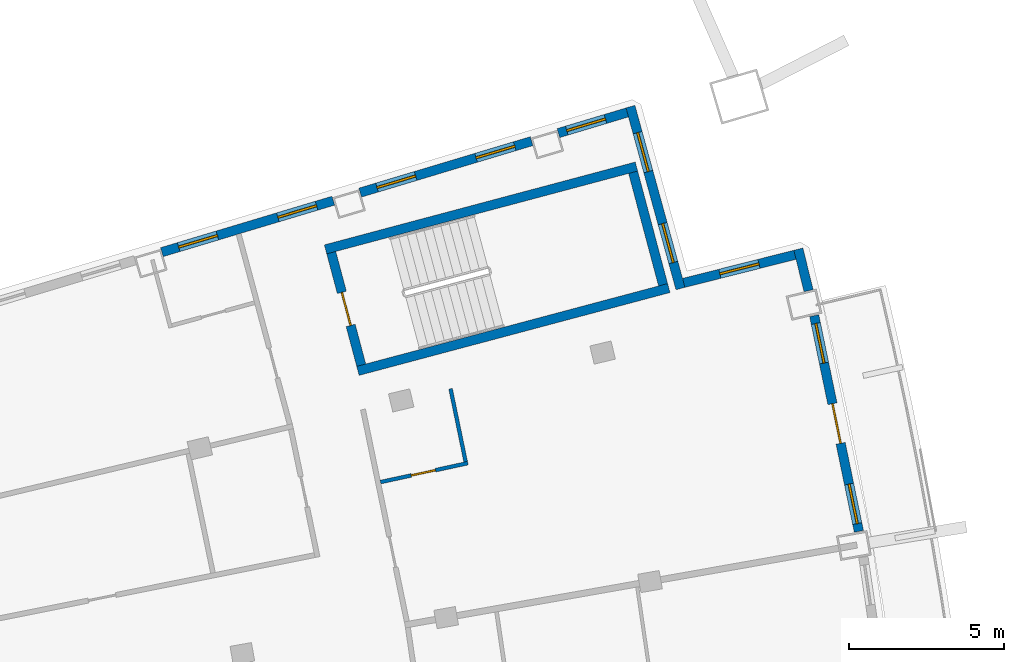
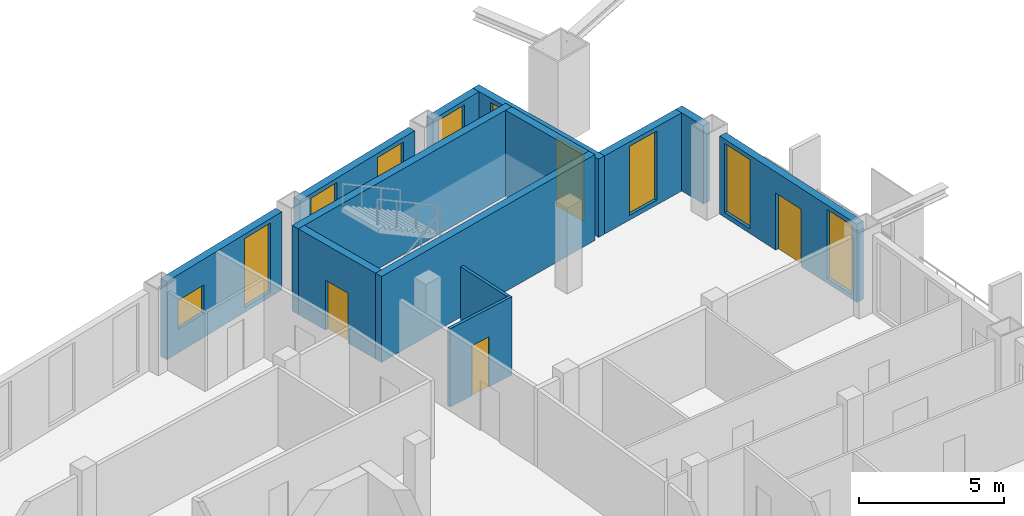
# One storey, part 11 of 15: 13 walls, 10 windows, 3 doors, 13 openings.
"""IFC4 building model written with IfcOpenShell, lengths in metres."""

from ifc_helpers import new_model, si_unit, direction, frame, frame_2d, origin, place, context, subcontext, project, spatial, rectangle, extrude, material, layer, layer_set, type_object, element, fill, save


model = new_model("IFC4")

# Units and contexts
model_context = context("Model", 3, precision=1e-05, world=origin(), true_north=direction((0.0, 1.0)))
body_context = subcontext(model_context, "Body", "Model", "MODEL_VIEW")
ifc_project = project(units=[si_unit("LENGTHUNIT", "METRE"), si_unit("AREAUNIT", "SQUARE_METRE"), si_unit("VOLUMEUNIT", "CUBIC_METRE"), si_unit("PLANEANGLEUNIT", "RADIAN"), si_unit("MASSUNIT", "GRAM", prefix="KILO")], contexts=[model_context])

# Site, building, storey
site_placement = place(None, origin())
site = spatial("IfcSite", under=ifc_project, at=site_placement, CompositionType="ELEMENT")
building_placement = place(site_placement, origin())
building = spatial("IfcBuilding", under=site, at=building_placement, Name="Alderwake Tower", CompositionType="ELEMENT")
storey_placement = place(building_placement, frame((0.0, 0.0, 285.199951171875)))
storey = spatial("IfcBuildingStorey", under=building, at=storey_placement, Name="L71", CompositionType="ELEMENT", Elevation=285.199951171875)

# Walls
ifc_material_1 = material(Name="Concrete C70/85", Category="concrete")
ifc_layer_1 = layer(ifc_material_1, 0.300048828125)
ifc_layer_set_1 = layer_set([ifc_layer_1], Name="Core wall stair enclosure 300 C70-85")
wall_type_1 = type_object("IfcWallType", Name="Core wall stair enclosure 300 C70-85", PredefinedType="SHEAR", material=ifc_layer_set_1)
for number, where, z_axis, x_axis, name in (
    (1, (36.71142578125, 94.182373046875, 0.0), (0.0, 0.0, 1.0), (0.966309214305, 0.257383958996, 0.0), "Core wall CW.082"),
    (2, (37.75390625, 90.268798828125, 0.0), (0.0, 0.0, 1.0), (0.966309214305, 0.257383958996, 0.0), "Core wall CW.084"),
):
    element("IfcWall", number, at=place(storey_placement, frame(where, z_axis=z_axis, x_axis=x_axis)), inside=storey, type_object=wall_type_1, Name=name, PredefinedType="SHEAR", context=body_context, shape_type="SweptSolid", body=[
        extrude(rectangle(XDim=10.360107421875, YDim=0.300048828125, at=frame_2d((5.18017578125, 0.0))), origin(), (0.0, 0.0, 1.0), 3.60009765625),
    ])

# Wall, opening, door
wall_1_placement = place(storey_placement, frame((37.8603515625, 90.452392578125, 0.0), z_axis=(0.0, 0.0, 1.0), x_axis=(-0.257411420208, 0.966301899381, 0.0)))
wall_1 = element("IfcWall", 3, at=wall_1_placement, inside=storey, type_object=wall_type_1, Name="Core wall CW.083", PredefinedType="SHEAR", context=body_context, shape_type="SweptSolid", body=[
    extrude(rectangle(XDim=3.750244140625, YDim=0.300048828125, at=frame_2d((1.875, 0.0))), origin(), (0.0, 0.0, 1.0), 3.60009765625),
])
opening_1_placement = place(wall_1_placement, frame((1.324951171875, 0.0, 0.0)))
opening_1 = element("IfcOpeningElement", 4, at=opening_1_placement, cuts=wall_1, Name="Opening C062", PredefinedType="OPENING", context=body_context, shape_type="SweptSolid", body=[
    extrude(rectangle(XDim=1.10009765625, YDim=2.10009765625, at=frame_2d((0.550048828125, 1.050048828125))), frame((0.0, 0.159912109375, 0.0), z_axis=(0.0, -1.0, 0.0), x_axis=(1.0, 0.0, 0.0)), (0.0, 0.0, 1.0), 0.320068359375),
])
ifc_material_2 = material(Name="Steel-framed fire door leaf", Category="steel")
door_type_1 = type_object("IfcDoorType", Name="Core stair door 1100 fire-rated", OperationType="SINGLE_SWING_LEFT", PredefinedType="DOOR", material=ifc_material_2)
door_1_placement = place(opening_1_placement, origin())
door_1 = element("IfcDoor", 5, at=door_1_placement, inside=storey, type_object=door_type_1, Name="Stair door", OperationType="SINGLE_SWING_RIGHT", OverallHeight=2.10009765625, OverallWidth=1.10009765625, PredefinedType="DOOR", context=body_context, shape_type="SweptSolid", body=[
    extrude(rectangle(XDim=1.10009765625, YDim=2.10009765625, at=frame_2d((0.550048828125, 1.050048828125))), frame((0.0, 0.02490234375, 0.0), z_axis=(0.0, -1.0, 0.0), x_axis=(1.0, 0.0, 0.0)), (0.0, 0.0, 1.0), 0.050048828125),
])
fill(opening_1, door_1)

# Wall
wall_2_placement = place(storey_placement, frame((47.581298828125, 93.041748046875, 0.0), z_axis=(0.0, 0.0, 1.0), x_axis=(-0.257366821694, 0.966313778796, 0.0)))
element("IfcWall", 6, at=wall_2_placement, inside=storey, type_object=wall_type_1, Name="Core wall CW.081", PredefinedType="SHEAR", context=body_context, shape_type="SweptSolid", body=[
    extrude(rectangle(XDim=3.749755859375, YDim=0.300048828125, at=frame_2d((1.875, 0.0))), origin(), (0.0, 0.0, 1.0), 3.60009765625),
])

# Wall, openings, door, windows
ifc_material_3 = material(Name="Precast concrete C50/60 spandrel panel", Category="concrete")
ifc_layer_2 = layer(ifc_material_3, 0.300048828125)
ifc_layer_set_2 = layer_set([ifc_layer_2], Name="External wall EW1 Precast concrete C50/60 spandrel")
wall_type_2 = type_object("IfcWallType", Name="External wall EW1 Precast concrete C50/60 spandrel", PredefinedType="SOLIDWALL", material=ifc_layer_set_2)
wall_3_placement = place(storey_placement, frame((53.886474609375, 85.100341796875, 0.0), z_axis=(0.0, 0.0, 1.0), x_axis=(-0.202764970436, 0.979227433625, 0.0)))
wall_3 = element("IfcWall", 7, at=wall_3_placement, inside=storey, type_object=wall_type_2, Name="External wall 19", PredefinedType="SOLIDWALL", context=body_context, shape_type="SweptSolid", body=[
    extrude(rectangle(XDim=7.091796875, YDim=0.300048828125, at=frame_2d((3.5458984375, 0.0))), origin(), (0.0, 0.0, 1.0), 3.280029296875),
])
opening_2_placement = place(wall_3_placement, frame((0.255615234375, 0.0, 0.199951171875)))
opening_2 = element("IfcOpeningElement", 8, at=opening_2_placement, cuts=wall_3, Name="Opening W1", PredefinedType="OPENING", context=body_context, shape_type="SweptSolid", body=[
    extrude(rectangle(XDim=1.300048828125, YDim=2.89990234375, at=frame_2d((0.64990234375, 1.449951171875))), frame((0.0, 0.159912109375, 0.0), z_axis=(0.0, -1.0, 0.0), x_axis=(1.0, 0.0, 0.0)), (0.0, 0.0, 1.0), 0.320068359375),
])
opening_3_placement = place(wall_3_placement, frame((2.895751953125, 0.0, 0.0)))
opening_3 = element("IfcOpeningElement", 9, at=opening_3_placement, cuts=wall_3, Name="Opening D08", PredefinedType="OPENING", context=body_context, shape_type="SweptSolid", body=[
    extrude(rectangle(XDim=1.300048828125, YDim=2.39990234375, at=frame_2d((0.64990234375, 1.199951171875))), frame((0.0, 0.159912109375, 0.0), z_axis=(0.0, -1.0, 0.0), x_axis=(1.0, 0.0, 0.0)), (0.0, 0.0, 1.0), 0.320068359375),
])
opening_4_placement = place(wall_3_placement, frame((5.535888671875, 0.0, 0.199951171875)))
opening_4 = element("IfcOpeningElement", 10, at=opening_4_placement, cuts=wall_3, Name="Opening W1", PredefinedType="OPENING", context=body_context, shape_type="SweptSolid", body=[
    extrude(rectangle(XDim=1.300048828125, YDim=2.89990234375, at=frame_2d((0.64990234375, 1.449951171875))), frame((0.0, 0.159912109375, 0.0), z_axis=(0.0, -1.0, 0.0), x_axis=(1.0, 0.0, 0.0)), (0.0, 0.0, 1.0), 0.320068359375),
])
ifc_material_4 = material(Name="Bronze tinted glass in aluminium frame", Category="aluminium")
door_type_2 = type_object("IfcDoorType", Name="Balcony door BD sliding", OperationType="SLIDING_TO_LEFT", PredefinedType="DOOR", material=ifc_material_4)
door_2_placement = place(opening_3_placement, origin())
door_2 = element("IfcDoor", 11, at=door_2_placement, inside=storey, type_object=door_type_2, Name="Door D08", OperationType="SLIDING_TO_LEFT", OverallHeight=2.39990234375, OverallWidth=1.300048828125, PredefinedType="DOOR", context=body_context, shape_type="SweptSolid", body=[
    extrude(rectangle(XDim=1.300048828125, YDim=2.39990234375, at=frame_2d((0.64990234375, 1.199951171875))), frame((0.0, 0.02490234375, 0.0), z_axis=(0.0, -1.0, 0.0), x_axis=(1.0, 0.0, 0.0)), (0.0, 0.0, 1.0), 0.050048828125),
])
fill(opening_3, door_2)
ifc_material_5 = material(Name="Bronze tinted glass in aluminium frame", Category="aluminium")
window_type_1 = type_object("IfcWindowType", Name="Window W1 tall fixed and vent", PartitioningType="DOUBLE_PANEL_VERTICAL", PredefinedType="WINDOW", material=ifc_material_5)
window_1_placement = place(opening_2_placement, origin())
window_1 = element("IfcWindow", 12, at=window_1_placement, inside=storey, type_object=window_type_1, Name="Window W1 tall fixed and vent", OverallHeight=2.89990234375, OverallWidth=1.300048828125, PartitioningType="DOUBLE_PANEL_VERTICAL", PredefinedType="WINDOW", context=body_context, shape_type="SweptSolid", body=[
    extrude(rectangle(XDim=1.300048828125, YDim=2.89990234375, at=frame_2d((0.64990234375, 1.449951171875))), frame((0.0, 0.030029296875, 0.0), z_axis=(0.0, -1.0, 0.0), x_axis=(1.0, 0.0, 0.0)), (0.0, 0.0, 1.0), 0.06005859375),
])
fill(opening_2, window_1)
window_2_placement = place(opening_4_placement, origin())
window_2 = element("IfcWindow", 13, at=window_2_placement, inside=storey, type_object=window_type_1, Name="Window W1 tall fixed and vent", OverallHeight=2.89990234375, OverallWidth=1.300048828125, PartitioningType="DOUBLE_PANEL_VERTICAL", PredefinedType="WINDOW", context=body_context, shape_type="SweptSolid", body=[
    extrude(rectangle(XDim=1.300048828125, YDim=2.89990234375, at=frame_2d((0.64990234375, 1.449951171875))), frame((0.0, 0.030029296875, 0.0), z_axis=(0.0, -1.0, 0.0), x_axis=(1.0, 0.0, 0.0)), (0.0, 0.0, 1.0), 0.06005859375),
])
fill(opening_4, window_2)

# Wall
wall_4_placement = place(storey_placement, frame((52.2666015625, 92.8515625, 0.0), z_axis=(0.0, 0.0, 1.0), x_axis=(-0.238407508489, 0.971165207313, 0.0)))
element("IfcWall", 14, at=wall_4_placement, inside=storey, type_object=wall_type_2, Name="External wall 20", PredefinedType="SOLIDWALL", context=body_context, shape_type="SweptSolid", body=[
    extrude(rectangle(XDim=1.37841796875, YDim=0.300048828125, at=frame_2d((0.689208984375, 0.0))), origin(), (0.0, 0.0, 1.0), 3.280029296875),
])

# Wall, opening, window
ifc_material_6 = material(Name="Bronze metal cladding on lightweight framing")
ifc_layer_3 = layer(ifc_material_6, 0.300048828125)
ifc_layer_set_3 = layer_set([ifc_layer_3], Name="External wall EW2 bronze metal cladding")
wall_type_3 = type_object("IfcWallType", Name="External wall EW2 bronze metal cladding", PredefinedType="SOLIDWALL", material=ifc_layer_set_3)
wall_5_placement = place(storey_placement, frame((51.828369140625, 94.0078125, 0.0), z_axis=(0.0, 0.0, 1.0), x_axis=(-0.969426922046, -0.245380200529, 0.0)))
wall_5 = element("IfcWall", 15, at=wall_5_placement, inside=storey, type_object=wall_type_3, Name="External wall 21", PredefinedType="SOLIDWALL", context=body_context, shape_type="SweptSolid", body=[
    extrude(rectangle(XDim=3.6943359375, YDim=0.300048828125, at=frame_2d((1.84716796875, 0.0))), origin(), (0.0, 0.0, 1.0), 3.280029296875),
])
opening_5_placement = place(wall_5_placement, frame((1.197021484375, 0.0, 0.199951171875)))
opening_5 = element("IfcOpeningElement", 16, at=opening_5_placement, cuts=wall_5, Name="Opening W1", PredefinedType="OPENING", context=body_context, shape_type="SweptSolid", body=[
    extrude(rectangle(XDim=1.300048828125, YDim=2.89990234375, at=frame_2d((0.64990234375, 1.449951171875))), frame((0.0, 0.159912109375, 0.0), z_axis=(0.0, -1.0, 0.0), x_axis=(1.0, 0.0, 0.0)), (0.0, 0.0, 1.0), 0.320068359375),
])
window_3_placement = place(opening_5_placement, origin())
window_3 = element("IfcWindow", 17, at=window_3_placement, inside=storey, type_object=window_type_1, Name="Window W1 tall fixed and vent", OverallHeight=2.89990234375, OverallWidth=1.300048828125, PartitioningType="DOUBLE_PANEL_VERTICAL", PredefinedType="WINDOW", context=body_context, shape_type="SweptSolid", body=[
    extrude(rectangle(XDim=1.300048828125, YDim=2.89990234375, at=frame_2d((0.64990234375, 1.449951171875))), frame((0.0, 0.030029296875, 0.0), z_axis=(0.0, -1.0, 0.0), x_axis=(1.0, 0.0, 0.0)), (0.0, 0.0, 1.0), 0.06005859375),
])
fill(opening_5, window_3)

# Wall, openings, windows
wall_6_placement = place(storey_placement, frame((48.141357421875, 92.919921875, 0.0), z_axis=(0.0, 0.0, 1.0), x_axis=(-0.265081779461, 0.96422593317, 0.0)))
wall_6 = element("IfcWall", 18, at=wall_6_placement, inside=storey, type_object=wall_type_3, Name="External wall 22", PredefinedType="SOLIDWALL", context=body_context, shape_type="SweptSolid", body=[
    extrude(rectangle(XDim=6.07666015625, YDim=0.300048828125, at=frame_2d((3.038330078125, 0.0))), origin(), (0.0, 0.0, 1.0), 3.280029296875),
])
opening_6_placement = place(wall_6_placement, frame((0.869140625, 0.0, 0.199951171875)))
opening_6 = element("IfcOpeningElement", 19, at=opening_6_placement, cuts=wall_6, Name="Opening W1", PredefinedType="OPENING", context=body_context, shape_type="SweptSolid", body=[
    extrude(rectangle(XDim=1.300048828125, YDim=2.89990234375, at=frame_2d((0.64990234375, 1.449951171875))), frame((0.0, 0.159912109375, 0.0), z_axis=(0.0, -1.0, 0.0), x_axis=(1.0, 0.0, 0.0)), (0.0, 0.0, 1.0), 0.320068359375),
])
opening_7_placement = place(wall_6_placement, frame((3.90771484375, 0.0, 0.199951171875)))
opening_7 = element("IfcOpeningElement", 20, at=opening_7_placement, cuts=wall_6, Name="Opening W1", PredefinedType="OPENING", context=body_context, shape_type="SweptSolid", body=[
    extrude(rectangle(XDim=1.300048828125, YDim=2.89990234375, at=frame_2d((0.64990234375, 1.449951171875))), frame((0.0, 0.159912109375, 0.0), z_axis=(0.0, -1.0, 0.0), x_axis=(1.0, 0.0, 0.0)), (0.0, 0.0, 1.0), 0.320068359375),
])
window_4_placement = place(opening_6_placement, origin())
window_4 = element("IfcWindow", 21, at=window_4_placement, inside=storey, type_object=window_type_1, Name="Window W1 tall fixed and vent", OverallHeight=2.89990234375, OverallWidth=1.300048828125, PartitioningType="DOUBLE_PANEL_VERTICAL", PredefinedType="WINDOW", context=body_context, shape_type="SweptSolid", body=[
    extrude(rectangle(XDim=1.300048828125, YDim=2.89990234375, at=frame_2d((0.64990234375, 1.449951171875))), frame((0.0, 0.030029296875, 0.0), z_axis=(0.0, -1.0, 0.0), x_axis=(1.0, 0.0, 0.0)), (0.0, 0.0, 1.0), 0.06005859375),
])
fill(opening_6, window_4)
window_5_placement = place(opening_7_placement, origin())
window_5 = element("IfcWindow", 22, at=window_5_placement, inside=storey, type_object=window_type_1, Name="Window W1 tall fixed and vent", OverallHeight=2.89990234375, OverallWidth=1.300048828125, PartitioningType="DOUBLE_PANEL_VERTICAL", PredefinedType="WINDOW", context=body_context, shape_type="SweptSolid", body=[
    extrude(rectangle(XDim=1.300048828125, YDim=2.89990234375, at=frame_2d((0.64990234375, 1.449951171875))), frame((0.0, 0.030029296875, 0.0), z_axis=(0.0, -1.0, 0.0), x_axis=(1.0, 0.0, 0.0)), (0.0, 0.0, 1.0), 0.06005859375),
])
fill(opening_7, window_5)

# Wall, opening, window
wall_7_placement = place(storey_placement, frame((46.4267578125, 98.591552734375, 0.0), z_axis=(0.0, 0.0, 1.0), x_axis=(-0.957773977811, -0.287522185977, 0.0)))
wall_7 = element("IfcWall", 23, at=wall_7_placement, inside=storey, type_object=wall_type_3, Name="External wall 23", PredefinedType="SOLIDWALL", context=body_context, shape_type="SweptSolid", body=[
    extrude(rectangle(XDim=2.31298828125, YDim=0.300048828125, at=frame_2d((1.156494140625, 0.0))), origin(), (0.0, 0.0, 1.0), 3.280029296875),
])
opening_8_placement = place(wall_7_placement, frame((0.732421875, 0.0, 0.199951171875)))
opening_8 = element("IfcOpeningElement", 24, at=opening_8_placement, cuts=wall_7, Name="Opening W1", PredefinedType="OPENING", context=body_context, shape_type="SweptSolid", body=[
    extrude(rectangle(XDim=1.300048828125, YDim=2.89990234375, at=frame_2d((0.64990234375, 1.449951171875))), frame((0.0, 0.159912109375, 0.0), z_axis=(0.0, -1.0, 0.0), x_axis=(1.0, 0.0, 0.0)), (0.0, 0.0, 1.0), 0.320068359375),
])
window_6_placement = place(opening_8_placement, origin())
window_6 = element("IfcWindow", 25, at=window_6_placement, inside=storey, type_object=window_type_1, Name="Window W1 tall fixed and vent", OverallHeight=2.89990234375, OverallWidth=1.300048828125, PartitioningType="DOUBLE_PANEL_VERTICAL", PredefinedType="WINDOW", context=body_context, shape_type="SweptSolid", body=[
    extrude(rectangle(XDim=1.300048828125, YDim=2.89990234375, at=frame_2d((0.64990234375, 1.449951171875))), frame((0.0, 0.030029296875, 0.0), z_axis=(0.0, -1.0, 0.0), x_axis=(1.0, 0.0, 0.0)), (0.0, 0.0, 1.0), 0.06005859375),
])
fill(opening_8, window_6)

# Wall, openings, windows
wall_8_placement = place(storey_placement, frame((43.34619140625, 97.66650390625, 0.0), z_axis=(0.0, 0.0, 1.0), x_axis=(-0.957776135082, -0.287514999726, 0.0)))
wall_8 = element("IfcWall", 26, at=wall_8_placement, inside=storey, type_object=wall_type_3, Name="External wall 24", PredefinedType="SOLIDWALL", context=body_context, shape_type="SweptSolid", body=[
    extrude(rectangle(XDim=5.76318359375, YDim=0.300048828125, at=frame_2d((2.881591796875, 0.0))), origin(), (0.0, 0.0, 1.0), 3.280029296875),
])
opening_9_placement = place(wall_8_placement, frame((0.56494140625, 0.0, 0.199951171875)))
opening_9 = element("IfcOpeningElement", 27, at=opening_9_placement, cuts=wall_8, Name="Opening W1", PredefinedType="OPENING", context=body_context, shape_type="SweptSolid", body=[
    extrude(rectangle(XDim=1.300048828125, YDim=2.89990234375, at=frame_2d((0.64990234375, 1.449951171875))), frame((0.0, 0.159912109375, 0.0), z_axis=(0.0, -1.0, 0.0), x_axis=(1.0, 0.0, 0.0)), (0.0, 0.0, 1.0), 0.320068359375),
])
opening_10_placement = place(wall_8_placement, frame((3.8984375, 0.0, 0.199951171875)))
opening_10 = element("IfcOpeningElement", 28, at=opening_10_placement, cuts=wall_8, Name="Opening W1", PredefinedType="OPENING", context=body_context, shape_type="SweptSolid", body=[
    extrude(rectangle(XDim=1.300048828125, YDim=2.89990234375, at=frame_2d((0.64990234375, 1.449951171875))), frame((0.0, 0.159912109375, 0.0), z_axis=(0.0, -1.0, 0.0), x_axis=(1.0, 0.0, 0.0)), (0.0, 0.0, 1.0), 0.320068359375),
])
window_7_placement = place(opening_9_placement, origin())
window_7 = element("IfcWindow", 29, at=window_7_placement, inside=storey, type_object=window_type_1, Name="Window W1 tall fixed and vent", OverallHeight=2.89990234375, OverallWidth=1.300048828125, PartitioningType="DOUBLE_PANEL_VERTICAL", PredefinedType="WINDOW", context=body_context, shape_type="SweptSolid", body=[
    extrude(rectangle(XDim=1.300048828125, YDim=2.89990234375, at=frame_2d((0.64990234375, 1.449951171875))), frame((0.0, 0.030029296875, 0.0), z_axis=(0.0, -1.0, 0.0), x_axis=(1.0, 0.0, 0.0)), (0.0, 0.0, 1.0), 0.06005859375),
])
fill(opening_9, window_7)
window_8_placement = place(opening_10_placement, origin())
window_8 = element("IfcWindow", 30, at=window_8_placement, inside=storey, type_object=window_type_1, Name="Window W1 tall fixed and vent", OverallHeight=2.89990234375, OverallWidth=1.300048828125, PartitioningType="DOUBLE_PANEL_VERTICAL", PredefinedType="WINDOW", context=body_context, shape_type="SweptSolid", body=[
    extrude(rectangle(XDim=1.300048828125, YDim=2.89990234375, at=frame_2d((0.64990234375, 1.449951171875))), frame((0.0, 0.030029296875, 0.0), z_axis=(0.0, -1.0, 0.0), x_axis=(1.0, 0.0, 0.0)), (0.0, 0.0, 1.0), 0.06005859375),
])
fill(opening_10, window_8)

wall_9_placement = place(storey_placement, frame((36.961181640625, 95.74951171875, 0.0), z_axis=(0.0, 0.0, 1.0), x_axis=(-0.957767971424, -0.287542193278, 0.0)))
wall_9 = element("IfcWall", 31, at=wall_9_placement, inside=storey, type_object=wall_type_3, Name="External wall 25", PredefinedType="SOLIDWALL", context=body_context, shape_type="SweptSolid", body=[
    extrude(rectangle(XDim=5.763427734375, YDim=0.300048828125, at=frame_2d((2.8818359375, 0.0))), origin(), (0.0, 0.0, 1.0), 3.280029296875),
])
opening_11_placement = place(wall_9_placement, frame((0.56494140625, 0.0, 0.199951171875)))
opening_11 = element("IfcOpeningElement", 32, at=opening_11_placement, cuts=wall_9, Name="Opening W1", PredefinedType="OPENING", context=body_context, shape_type="SweptSolid", body=[
    extrude(rectangle(XDim=1.300048828125, YDim=2.89990234375, at=frame_2d((0.64990234375, 1.449951171875))), frame((0.0, 0.159912109375, 0.0), z_axis=(0.0, -1.0, 0.0), x_axis=(1.0, 0.0, 0.0)), (0.0, 0.0, 1.0), 0.320068359375),
])
opening_12_placement = place(wall_9_placement, frame((3.8984375, 0.0, 1.0)))
opening_12 = element("IfcOpeningElement", 33, at=opening_12_placement, cuts=wall_9, Name="Opening W2", PredefinedType="OPENING", context=body_context, shape_type="SweptSolid", body=[
    extrude(rectangle(XDim=1.300048828125, YDim=1.199951171875, at=frame_2d((0.64990234375, 0.60009765625))), frame((0.0, 0.159912109375, 0.0), z_axis=(0.0, -1.0, 0.0), x_axis=(1.0, 0.0, 0.0)), (0.0, 0.0, 1.0), 0.320068359375),
])
window_9_placement = place(opening_11_placement, origin())
window_9 = element("IfcWindow", 34, at=window_9_placement, inside=storey, type_object=window_type_1, Name="Window W1 tall fixed and vent", OverallHeight=2.89990234375, OverallWidth=1.300048828125, PartitioningType="DOUBLE_PANEL_VERTICAL", PredefinedType="WINDOW", context=body_context, shape_type="SweptSolid", body=[
    extrude(rectangle(XDim=1.300048828125, YDim=2.89990234375, at=frame_2d((0.64990234375, 1.449951171875))), frame((0.0, 0.030029296875, 0.0), z_axis=(0.0, -1.0, 0.0), x_axis=(1.0, 0.0, 0.0)), (0.0, 0.0, 1.0), 0.06005859375),
])
fill(opening_11, window_9)
ifc_material_7 = material(Name="Bronze tinted glass in aluminium frame", Category="aluminium")
window_type_2 = type_object("IfcWindowType", Name="Window W2 kitchen and bath", PartitioningType="SINGLE_PANEL", PredefinedType="WINDOW", material=ifc_material_7)
window_10_placement = place(opening_12_placement, origin())
window_10 = element("IfcWindow", 35, at=window_10_placement, inside=storey, type_object=window_type_2, Name="Window W2 kitchen and bath", OverallHeight=1.199951171875, OverallWidth=1.300048828125, PartitioningType="SINGLE_PANEL", PredefinedType="WINDOW", context=body_context, shape_type="SweptSolid", body=[
    extrude(rectangle(XDim=1.300048828125, YDim=1.199951171875, at=frame_2d((0.64990234375, 0.60009765625))), frame((0.0, 0.030029296875, 0.0), z_axis=(0.0, -1.0, 0.0), x_axis=(1.0, 0.0, 0.0)), (0.0, 0.0, 1.0), 0.06005859375),
])
fill(opening_12, window_10)

# Wall, opening, door
ifc_material_8 = material(Name="Moisture resistant gypsum board on metal studs")
ifc_layer_4 = layer(ifc_material_8, 0.1201171875)
ifc_layer_set_4 = layer_set([ifc_layer_4], Name="Wet room partition 120")
wall_type_4 = type_object("IfcWallType", Name="Wet room partition 120", PredefinedType="PARTITIONING", material=ifc_layer_set_4)
wall_10_placement = place(storey_placement, frame((38.481201171875, 86.68701171875, 0.0), z_axis=(0.0, 0.0, 1.0), x_axis=(0.97723527817, 0.212158457526, 0.0)))
wall_10 = element("IfcWall", 36, at=wall_10_placement, inside=storey, type_object=wall_type_4, Name="WL/L71/W32", PredefinedType="PARTITIONING", context=body_context, shape_type="SweptSolid", body=[
    extrude(rectangle(XDim=2.8779296875, YDim=0.1201171875, at=frame_2d((1.43896484375, 0.0))), origin(), (0.0, 0.0, 1.0), 3.280029296875),
])
opening_13_placement = place(wall_10_placement, frame((1.009521484375, 0.0, 0.0)))
opening_13 = element("IfcOpeningElement", 37, at=opening_13_placement, cuts=wall_10, Name="Opening R20-U07.2", PredefinedType="OPENING", context=body_context, shape_type="SweptSolid", body=[
    extrude(rectangle(XDim=0.800048828125, YDim=2.10009765625, at=frame_2d((0.39990234375, 1.050048828125))), frame((0.0, 0.070068359375, 0.0), z_axis=(0.0, -1.0, 0.0), x_axis=(1.0, 0.0, 0.0)), (0.0, 0.0, 1.0), 0.14013671875),
])
ifc_material_9 = material(Name="Painted timber leaf", Category="wood")
door_type_3 = type_object("IfcDoorType", Name="Bathroom door 800", OperationType="SINGLE_SWING_LEFT", PredefinedType="DOOR", material=ifc_material_9)
door_3_placement = place(opening_13_placement, origin())
door_3 = element("IfcDoor", 38, at=door_3_placement, inside=storey, type_object=door_type_3, Name="DR/L71/U07.2", OperationType="SINGLE_SWING_LEFT", OverallHeight=2.10009765625, OverallWidth=0.800048828125, PredefinedType="DOOR", context=body_context, shape_type="SweptSolid", body=[
    extrude(rectangle(XDim=0.800048828125, YDim=2.10009765625, at=frame_2d((0.39990234375, 1.050048828125))), frame((0.0, 0.02490234375, 0.0), z_axis=(0.0, -1.0, 0.0), x_axis=(1.0, 0.0, 0.0)), (0.0, 0.0, 1.0), 0.050048828125),
])
fill(opening_13, door_3)

# Wall
wall_11_placement = place(storey_placement, frame((41.222900390625, 87.34375, 0.0), z_axis=(0.0, 0.0, 1.0), x_axis=(-0.202430686623, 0.979296593026, 0.0)))
element("IfcWall", 39, at=wall_11_placement, inside=storey, type_object=wall_type_4, Name="WL/L71/W34", PredefinedType="PARTITIONING", context=body_context, shape_type="SweptSolid", body=[
    extrude(rectangle(XDim=2.400146484375, YDim=0.1201171875, at=frame_2d((1.2001953125, 0.0))), origin(), (0.0, 0.0, 1.0), 3.280029296875),
])

save(model, "model.ifc")
